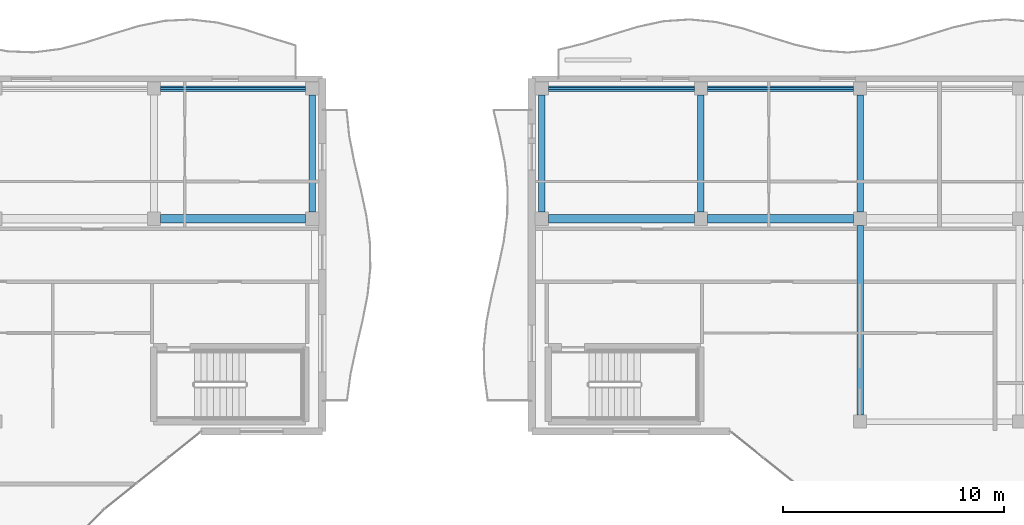
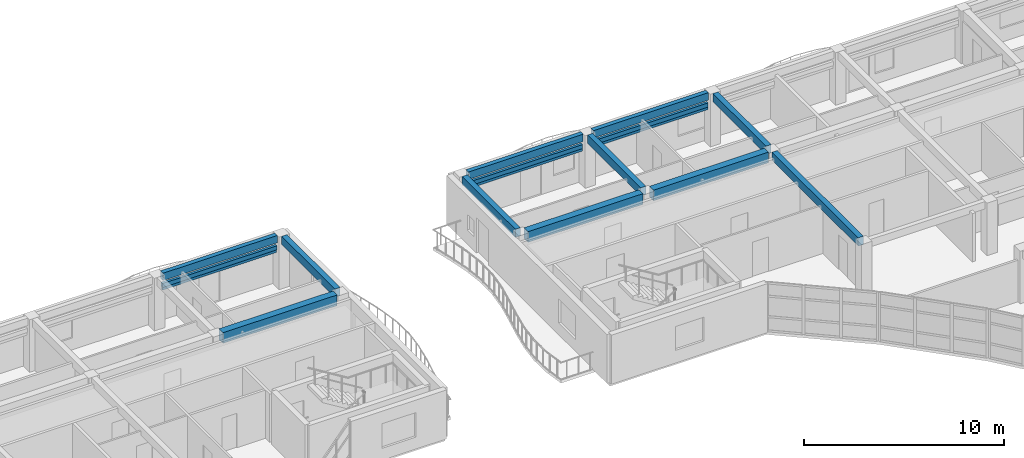
# One storey, part 19 of 72: 11 beams, 6 members.
"""IFC4 building model written with IfcOpenShell, lengths in metres."""

from ifc_helpers import new_model, si_unit, direction, frame, origin, origin_2d, place, context, subcontext, project, spatial, rectangle, hollow_rectangle, extrude, material, material_profile, profile_set, type_object, element, save


model = new_model("IFC4")

# Units and contexts
model_context = context("Model", 3, precision=1e-05, world=origin(), true_north=direction((0.0, 1.0)))
body_context = subcontext(model_context, "Body", "Model", "MODEL_VIEW")
ifc_project = project(units=[si_unit("LENGTHUNIT", "METRE"), si_unit("AREAUNIT", "SQUARE_METRE"), si_unit("VOLUMEUNIT", "CUBIC_METRE"), si_unit("PLANEANGLEUNIT", "RADIAN"), si_unit("MASSUNIT", "GRAM", prefix="KILO")], contexts=[model_context])

# Site, building, storey
site_placement = place(None, origin())
site = spatial("IfcSite", under=ifc_project, at=site_placement, CompositionType="ELEMENT")
building_placement = place(site_placement, origin())
building = spatial("IfcBuilding", under=site, at=building_placement, Name="Keldmere Railside Commons", CompositionType="ELEMENT")
storey_placement = place(building_placement, frame((0.0, 0.0, 16.9599609375)))
storey = spatial("IfcBuildingStorey", under=building, at=storey_placement, Name="L05", CompositionType="ELEMENT", Elevation=16.9599609375)

# Members
ifc_material_1 = material(Name="Steel F-36 (S355)", Category="steel")
ifc_material_profile_1 = material_profile(ifc_material_1, hollow_rectangle(XDim=0.14990234375, YDim=0.25, WallThickness=0.010009765625, at=origin_2d()), Name="RHS-250x150x10")
ifc_profile_set_1 = profile_set([ifc_material_profile_1], Name="Steel F-36 (S355)")
member_type_1 = type_object("IfcMemberType", Name="Balcony Continuous Planted Trough RHS250x150", PredefinedType="CHORD", material=ifc_profile_set_1)
member_1_placement = place(storey_placement, frame((130.1669921875, 115.550048828125, 2.4150390625), z_axis=(1.0, 0.0, 0.0), x_axis=(0.0, 1.0, 0.0)))
element("IfcMember", 1, at=member_1_placement, inside=storey, type_object=member_type_1, Name="PLT-1 MEM-BPLT-0631", PredefinedType="CHORD", context=body_context, shape_type="SweptSolid", body=[
    extrude(hollow_rectangle(XDim=0.14990234375, YDim=0.25, WallThickness=0.010009765625, at=origin_2d()), origin(), (0.0, 0.0, 1.0), 6.5830078125),
])
for number, where, z_axis, x_axis, name in (
    (2, (147.75, 115.550048828125, 2.4150390625), (1.0, 0.0, 0.0), (0.0, 1.0, 0.0), "PLT-1 MEM-BPLT-0649"),
    (3, (154.969970703125, 115.550048828125, 2.4150390625), (1.0, 0.0, 0.0), (0.0, 1.0, 0.0), "PLT-1 MEM-BPLT-0651"),
):
    element("IfcMember", number, at=place(storey_placement, frame(where, z_axis=z_axis, x_axis=x_axis)), inside=storey, type_object=member_type_1, Name=name, PredefinedType="CHORD", context=body_context, shape_type="SweptSolid", body=[
        extrude(hollow_rectangle(XDim=0.14990234375, YDim=0.25, WallThickness=0.010009765625, at=origin_2d()), origin(), (0.0, 0.0, 1.0), 6.6201171875),
    ])

# Beams
ifc_material_2 = material(Name="Architectural Precast Concrete H-35 (C35/45)", Category="concrete")
ifc_material_profile_2 = material_profile(ifc_material_2, rectangle(XDim=0.25, YDim=0.449951171875, at=origin_2d()), Name="RC-250x450")
ifc_profile_set_2 = profile_set([ifc_material_profile_2], Name="Architectural Precast Concrete H-35 (C35/45)")
beam_type_1 = type_object("IfcBeamType", Name="Perimeter Precast Spandrel Beam 250x450", PredefinedType="SPANDREL", material=ifc_profile_set_2)
beam_1_placement = place(storey_placement, frame((130.1669921875, 115.550048828125, 2.97509765625), z_axis=(1.0, 0.0, 0.0), x_axis=(0.0, 1.0, 0.0)))
element("IfcBeam", 4, at=beam_1_placement, inside=storey, type_object=beam_type_1, Name="SPB-1 BM-L05-1770", PredefinedType="SPANDREL", context=body_context, shape_type="SweptSolid", body=[
    extrude(rectangle(XDim=0.25, YDim=0.449951171875, at=origin_2d()), origin(), (0.0, 0.0, 1.0), 6.5830078125),
])
for number, where, z_axis, x_axis, name in (
    (5, (147.75, 115.550048828125, 2.97509765625), (1.0, 0.0, 0.0), (0.0, 1.0, 0.0), "SPB-1 BM-L05-1771"),
    (6, (154.969970703125, 115.550048828125, 2.97509765625), (1.0, 0.0, 0.0), (0.0, 1.0, 0.0), "SPB-1 BM-L05-1772"),
):
    element("IfcBeam", number, at=place(storey_placement, frame(where, z_axis=z_axis, x_axis=x_axis)), inside=storey, type_object=beam_type_1, Name=name, PredefinedType="SPANDREL", context=body_context, shape_type="SweptSolid", body=[
        extrude(rectangle(XDim=0.25, YDim=0.449951171875, at=origin_2d()), origin(), (0.0, 0.0, 1.0), 6.6201171875),
    ])
ifc_material_3 = material(Name="Concrete H-30 (C30/37)", Category="concrete")
ifc_material_profile_3 = material_profile(ifc_material_3, rectangle(XDim=0.39990234375, YDim=0.64990234375, at=origin_2d()), Name="RC-400x650")
ifc_profile_set_3 = profile_set([ifc_material_profile_3], Name="Concrete H-30 (C30/37)")
beam_type_2 = type_object("IfcBeamType", Name="Residential Spine RC Girder 400x650", PredefinedType="BEAM", material=ifc_profile_set_3)
beam_2_placement = place(storey_placement, frame((130.1669921875, 109.64990234375, 2.875), z_axis=(1.0, 0.0, 0.0), x_axis=(0.0, 1.0, 0.0)))
element("IfcBeam", 7, at=beam_2_placement, inside=storey, type_object=beam_type_2, Name="BG-3 BM-L05-1751", PredefinedType="BEAM", context=body_context, shape_type="SweptSolid", body=[
    extrude(rectangle(XDim=0.39990234375, YDim=0.64990234375, at=origin_2d()), origin(), (0.0, 0.0, 1.0), 6.5830078125),
])
for number, where, z_axis, x_axis, name in (
    (8, (147.75, 109.64990234375, 2.875), (1.0, 0.0, 0.0), (0.0, 1.0, 0.0), "BG-3 BM-L05-1752"),
    (9, (154.969970703125, 109.64990234375, 2.875), (1.0, 0.0, 0.0), (0.0, 1.0, 0.0), "BG-3 BM-L05-1753"),
):
    element("IfcBeam", number, at=place(storey_placement, frame(where, z_axis=z_axis, x_axis=x_axis)), inside=storey, type_object=beam_type_2, Name=name, PredefinedType="BEAM", context=body_context, shape_type="SweptSolid", body=[
        extrude(rectangle(XDim=0.39990234375, YDim=0.64990234375, at=origin_2d()), origin(), (0.0, 0.0, 1.0), 6.6201171875),
    ])
ifc_material_profile_4 = material_profile(ifc_material_3, rectangle(XDim=0.300048828125, YDim=0.5, at=origin_2d()), Name="RC-300x500")
ifc_profile_set_4 = profile_set([ifc_material_profile_4], Name="Concrete H-30 (C30/37)")
beam_type_3 = type_object("IfcBeamType", Name="Secondary Frame RC Beam 300x500", PredefinedType="BEAM", material=ifc_profile_set_4)
for number, where, z_axis, x_axis, name in (
    (10, (137.050048828125, 109.949951171875, 2.949951171875), (0.0, 1.0, 0.0), (-1.0, 0.0, 0.0), "BG-5 BM-L05-1837"),
    (11, (147.449951171875, 109.949951171875, 2.949951171875), (0.0, 1.0, 0.0), (-1.0, 0.0, 0.0), "BG-5 BM-L05-1838"),
    (12, (154.669921875, 109.949951171875, 2.949951171875), (0.0, 1.0, 0.0), (-1.0, 0.0, 0.0), "BG-5 BM-L05-1839"),
):
    element("IfcBeam", number, at=place(storey_placement, frame(where, z_axis=z_axis, x_axis=x_axis)), inside=storey, type_object=beam_type_3, Name=name, PredefinedType="BEAM", context=body_context, shape_type="SweptSolid", body=[
        extrude(rectangle(XDim=0.300048828125, YDim=0.5, at=origin_2d()), origin(), (0.0, 0.0, 1.0), 5.300048828125),
    ])
beam_3_placement = place(storey_placement, frame((161.889892578125, 100.75, 2.949951171875), z_axis=(0.0, 1.0, 0.0), x_axis=(-1.0, 0.0, 0.0)))
element("IfcBeam", 13, at=beam_3_placement, inside=storey, type_object=beam_type_3, Name="BG-5 BM-L05-1840", PredefinedType="BEAM", context=body_context, shape_type="SweptSolid", body=[
    extrude(rectangle(XDim=0.300048828125, YDim=0.5, at=origin_2d()), origin(), (0.0, 0.0, 1.0), 8.60009765625),
])
beam_4_placement = place(storey_placement, frame((161.889892578125, 109.949951171875, 2.949951171875), z_axis=(0.0, 1.0, 0.0), x_axis=(-1.0, 0.0, 0.0)))
element("IfcBeam", 14, at=beam_4_placement, inside=storey, type_object=beam_type_3, Name="BG-5 BM-L05-1841", PredefinedType="BEAM", context=body_context, shape_type="SweptSolid", body=[
    extrude(rectangle(XDim=0.300048828125, YDim=0.5, at=origin_2d()), origin(), (0.0, 0.0, 1.0), 5.300048828125),
])

# Members
ifc_material_profile_5 = material_profile(ifc_material_1, hollow_rectangle(XDim=0.10009765625, YDim=0.159912109375, WallThickness=0.008056640625, at=origin_2d()), Name="RHS-160x100x8")
ifc_profile_set_5 = profile_set([ifc_material_profile_5], Name="Steel F-36 (S355)")
member_type_2 = type_object("IfcMemberType", Name="Solar Brise-Soleil Louvre Fin RHS160x100", PredefinedType="STRUT", material=ifc_profile_set_5)
member_2_placement = place(storey_placement, frame((130.1669921875, 115.550048828125, 2.199951171875), z_axis=(1.0, 0.0, 0.0), x_axis=(0.0, 1.0, 0.0)))
element("IfcMember", 15, at=member_2_placement, inside=storey, type_object=member_type_2, Name="BSF-1 MEM-BSF-0632", PredefinedType="STRUT", context=body_context, shape_type="SweptSolid", body=[
    extrude(hollow_rectangle(XDim=0.10009765625, YDim=0.159912109375, WallThickness=0.008056640625, at=origin_2d()), origin(), (0.0, 0.0, 1.0), 6.5830078125),
])
for number, where, z_axis, x_axis, name in (
    (16, (147.75, 115.550048828125, 2.199951171875), (1.0, 0.0, 0.0), (0.0, 1.0, 0.0), "BSF-1 MEM-BSF-0650"),
    (17, (154.969970703125, 115.550048828125, 2.199951171875), (1.0, 0.0, 0.0), (0.0, 1.0, 0.0), "BSF-1 MEM-BSF-0652"),
):
    element("IfcMember", number, at=place(storey_placement, frame(where, z_axis=z_axis, x_axis=x_axis)), inside=storey, type_object=member_type_2, Name=name, PredefinedType="STRUT", context=body_context, shape_type="SweptSolid", body=[
        extrude(hollow_rectangle(XDim=0.10009765625, YDim=0.159912109375, WallThickness=0.008056640625, at=origin_2d()), origin(), (0.0, 0.0, 1.0), 6.6201171875),
    ])

save(model, "model.ifc")
